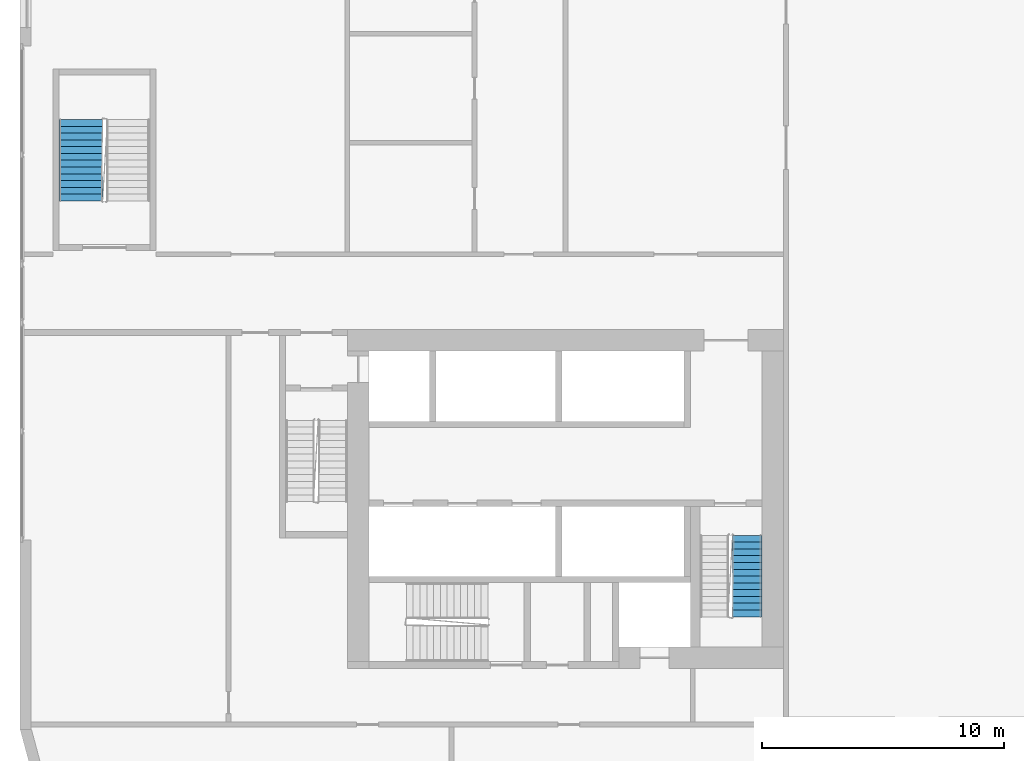
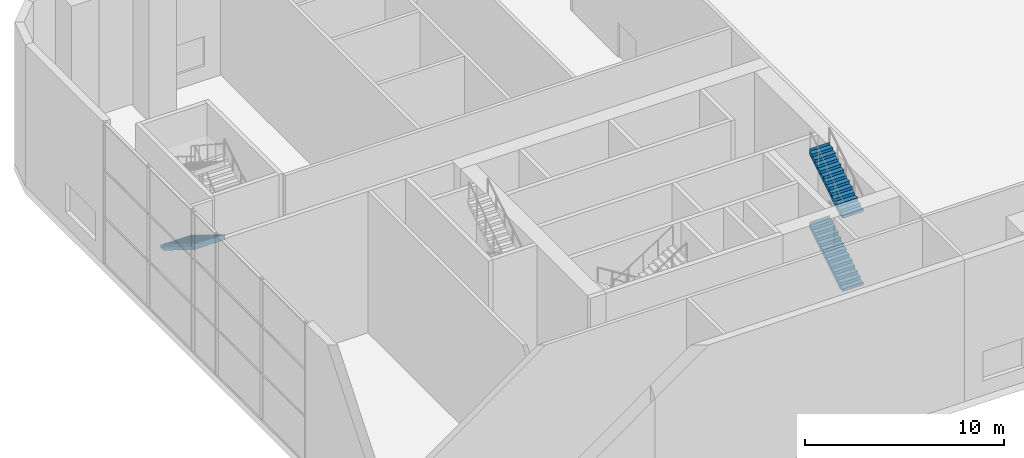
# One storey, part 15 of 24: 3 stair flights, 2 elements without a shape of their own.
"""IFC4 building model written with IfcOpenShell, lengths in metres."""

from ifc_helpers import new_model, si_unit, direction, frame, origin, place, context, subcontext, project, spatial, faceted_brep, material, type_object, element, aggregate, save


model = new_model("IFC4")

# Units and contexts
model_context = context("Model", 3, precision=1e-05, world=origin(), true_north=direction((0.0, 1.0)))
body_context = subcontext(model_context, "Body", "Model", "MODEL_VIEW")
ifc_project = project(units=[si_unit("LENGTHUNIT", "METRE"), si_unit("AREAUNIT", "SQUARE_METRE"), si_unit("VOLUMEUNIT", "CUBIC_METRE"), si_unit("PLANEANGLEUNIT", "RADIAN"), si_unit("MASSUNIT", "GRAM", prefix="KILO")], contexts=[model_context])

# Site, building, storey
site_placement = place(None, origin())
site = spatial("IfcSite", under=ifc_project, at=site_placement, CompositionType="ELEMENT")
building_placement = place(site_placement, origin())
building = spatial("IfcBuilding", under=site, at=building_placement, Name="Kajstack Hotel Tower", CompositionType="ELEMENT")
storey_placement = place(building_placement, frame((0.0, 0.0, 38.0)))
storey = spatial("IfcBuildingStorey", under=building, at=storey_placement, Name="L06", CompositionType="ELEMENT", Elevation=38.0)

# Stair, stair flight
ifc_material = material(Name="Concrete C40/50", Category="concrete")
stair_type_1 = type_object("IfcStairType", Name="Escape stair 1800", PredefinedType="HALF_TURN_STAIR", material=ifc_material)
stair_1_placement = place(storey_placement, origin())
stair_1 = element("IfcStair", 1, at=stair_1_placement, inside=storey, type_object=stair_type_1, Name="L06 stair P1", PredefinedType="HALF_TURN_STAIR")
stair_flight_type_1 = type_object("IfcStairFlightType", Name="Escape stair flight 1800", PredefinedType="STRAIGHT", material=ifc_material)
stair_flight_1_placement = place(storey_placement, frame((-42.5, 7.159912109375, 2.25), z_axis=(0.0, 0.0, 1.0), x_axis=(0.0, -1.0, 0.0)))
stair_flight_1 = element("IfcStairFlight", 2, at=stair_flight_1_placement, type_object=stair_flight_type_1, Name="P1 flight 2", NumberOfRisers=13, NumberOfTreads=12, PredefinedType="STRAIGHT", RiserHeight=0.173076923, TreadLength=0.28, context=body_context, shape_type="Brep", body=[
    faceted_brep([(0.28564453125, -0.89990234375, 0.0), (3.360595703125, -0.89990234375, 1.900634765625), (3.360595703125, -0.89990234375, 2.25), (3.360107421875, -0.89990234375, 2.25), (3.360107421875, -0.89990234375, 2.076904296875), (3.080078125, -0.89990234375, 2.076904296875), (3.080078125, -0.89990234375, 1.90380859375), (2.800048828125, -0.89990234375, 1.90380859375), (2.800048828125, -0.89990234375, 1.730712890625), (2.52001953125, -0.89990234375, 1.730712890625), (2.52001953125, -0.89990234375, 1.5576171875), (2.239990234375, -0.89990234375, 1.5576171875), (2.239990234375, -0.89990234375, 1.384521484375), (1.9599609375, -0.89990234375, 1.384521484375), (1.9599609375, -0.89990234375, 1.21142578125), (1.679931640625, -0.89990234375, 1.21142578125), (1.679931640625, -0.89990234375, 1.03857421875), (1.39990234375, -0.89990234375, 1.03857421875), (1.39990234375, -0.89990234375, 0.865478515625), (1.1201171875, -0.89990234375, 0.865478515625), (1.1201171875, -0.89990234375, 0.6923828125), (0.840087890625, -0.89990234375, 0.6923828125), (0.840087890625, -0.89990234375, 0.519287109375), (0.56005859375, -0.89990234375, 0.519287109375), (0.56005859375, -0.89990234375, 0.34619140625), (0.280029296875, -0.89990234375, 0.34619140625), (0.280029296875, -0.89990234375, 0.173095703125), (-0.00048828125, -0.89990234375, 0.173095703125), (-0.00048828125, -0.89990234375, 0.0), (-0.00048828125, 0.89990234375, 0.0), (-0.00048828125, 0.89990234375, 0.173095703125), (0.280029296875, 0.89990234375, 0.173095703125), (0.280029296875, 0.89990234375, 0.34619140625), (0.56005859375, 0.89990234375, 0.34619140625), (0.56005859375, 0.89990234375, 0.519287109375), (0.840087890625, 0.89990234375, 0.519287109375), (0.840087890625, 0.89990234375, 0.6923828125), (1.1201171875, 0.89990234375, 0.6923828125), (1.1201171875, 0.89990234375, 0.865478515625), (1.39990234375, 0.89990234375, 0.865478515625), (1.39990234375, 0.89990234375, 1.03857421875), (1.679931640625, 0.89990234375, 1.03857421875), (1.679931640625, 0.89990234375, 1.21142578125), (1.9599609375, 0.89990234375, 1.21142578125), (1.9599609375, 0.89990234375, 1.384521484375), (2.239990234375, 0.89990234375, 1.384521484375), (2.239990234375, 0.89990234375, 1.5576171875), (2.52001953125, 0.89990234375, 1.5576171875), (2.52001953125, 0.89990234375, 1.730712890625), (2.800048828125, 0.89990234375, 1.730712890625), (2.800048828125, 0.89990234375, 1.90380859375), (3.080078125, 0.89990234375, 1.90380859375), (3.080078125, 0.89990234375, 2.076904296875), (3.360107421875, 0.89990234375, 2.076904296875), (3.360107421875, 0.89990234375, 2.25), (3.360595703125, 0.89990234375, 2.25), (3.360595703125, 0.89990234375, 1.900634765625), (0.28564453125, 0.89990234375, 0.0), (-0.00048828125, -0.449951171875, 0.173095703125), (-0.00048828125, 0.0, 0.173095703125), (-0.00048828125, 0.449951171875, 0.173095703125), (-0.00048828125, 0.449951171875, 0.0), (-0.00048828125, 0.0, 0.0), (-0.00048828125, -0.449951171875, 0.0), (0.280029296875, -0.449951171875, 0.173095703125), (0.280029296875, 0.0, 0.173095703125), (0.280029296875, 0.449951171875, 0.173095703125), (0.280029296875, -0.449951171875, 0.34619140625), (0.280029296875, 0.0, 0.34619140625), (0.280029296875, 0.449951171875, 0.34619140625), (0.56005859375, -0.449951171875, 0.34619140625), (0.56005859375, 0.0, 0.34619140625), (0.56005859375, 0.449951171875, 0.34619140625), (0.56005859375, -0.449951171875, 0.519287109375), (0.56005859375, 0.0, 0.519287109375), (0.56005859375, 0.449951171875, 0.519287109375), (0.840087890625, -0.449951171875, 0.519287109375), (0.840087890625, 0.0, 0.519287109375), (0.840087890625, 0.449951171875, 0.519287109375), (0.840087890625, -0.449951171875, 0.6923828125), (0.840087890625, 0.0, 0.6923828125), (0.840087890625, 0.449951171875, 0.6923828125), (1.1201171875, -0.449951171875, 0.6923828125), (1.1201171875, 0.0, 0.6923828125), (1.1201171875, 0.449951171875, 0.6923828125), (1.1201171875, -0.449951171875, 0.865478515625), (1.1201171875, 0.0, 0.865478515625), (1.1201171875, 0.449951171875, 0.865478515625), (1.39990234375, -0.449951171875, 0.865478515625), (1.39990234375, 0.0, 0.865478515625), (1.39990234375, 0.449951171875, 0.865478515625), (1.39990234375, -0.449951171875, 1.03857421875), (1.39990234375, 0.0, 1.03857421875), (1.39990234375, 0.449951171875, 1.03857421875), (1.679931640625, -0.449951171875, 1.03857421875), (1.679931640625, 0.0, 1.03857421875), (1.679931640625, 0.449951171875, 1.03857421875), (1.679931640625, -0.449951171875, 1.21142578125), (1.679931640625, 0.0, 1.21142578125), (1.679931640625, 0.449951171875, 1.21142578125), (1.9599609375, -0.449951171875, 1.21142578125), (1.9599609375, 0.0, 1.21142578125), (1.9599609375, 0.449951171875, 1.21142578125), (1.9599609375, -0.449951171875, 1.384521484375), (1.9599609375, 0.0, 1.384521484375), (1.9599609375, 0.449951171875, 1.384521484375), (2.239990234375, -0.449951171875, 1.384521484375), (2.239990234375, 0.0, 1.384521484375), (2.239990234375, 0.449951171875, 1.384521484375), (2.239990234375, -0.449951171875, 1.5576171875), (2.239990234375, 0.0, 1.5576171875), (2.239990234375, 0.449951171875, 1.5576171875), (2.52001953125, -0.449951171875, 1.5576171875), (2.52001953125, 0.0, 1.5576171875), (2.52001953125, 0.449951171875, 1.5576171875), (2.52001953125, -0.449951171875, 1.730712890625), (2.52001953125, 0.0, 1.730712890625), (2.52001953125, 0.449951171875, 1.730712890625), (2.800048828125, -0.449951171875, 1.730712890625), (2.800048828125, 0.0, 1.730712890625), (2.800048828125, 0.449951171875, 1.730712890625), (2.800048828125, -0.449951171875, 1.90380859375), (2.800048828125, 0.0, 1.90380859375), (2.800048828125, 0.449951171875, 1.90380859375), (3.080078125, -0.449951171875, 1.90380859375), (3.080078125, 0.0, 1.90380859375), (3.080078125, 0.449951171875, 1.90380859375), (3.080078125, -0.449951171875, 2.076904296875), (3.080078125, 0.0, 2.076904296875), (3.080078125, 0.449951171875, 2.076904296875), (3.360107421875, -0.449951171875, 2.076904296875), (3.360107421875, 0.0, 2.076904296875), (3.360107421875, 0.449951171875, 2.076904296875), (3.360107421875, -0.449951171875, 2.25), (3.360107421875, 0.0, 2.25), (3.360107421875, 0.449951171875, 2.25), (3.360595703125, -0.449951171875, 2.25), (3.360595703125, 0.0, 2.25), (3.360595703125, 0.449951171875, 2.25), (3.360595703125, -0.449951171875, 1.900634765625), (3.360595703125, 0.0, 1.900634765625), (3.360595703125, 0.449951171875, 1.900634765625), (0.28564453125, -0.449951171875, 0.0), (0.28564453125, 0.0, 0.0), (0.28564453125, 0.449951171875, 0.0)], [[[0, 1, 2, 3, 4, 5, 6, 7, 8, 9, 10, 11, 12, 13, 14, 15, 16, 17, 18, 19, 20, 21, 22, 23, 24, 25, 26, 27, 28]], [[29, 30, 31, 32, 33, 34, 35, 36, 37, 38, 39, 40, 41, 42, 43, 44, 45, 46, 47, 48, 49, 50, 51, 52, 53, 54, 55, 56, 57]], [[27, 58, 59, 60, 30, 29, 61, 62, 63, 28]], [[26, 64, 65, 66, 31, 30, 60, 59, 58, 27]], [[25, 67, 68, 69, 32, 31, 66, 65, 64, 26]], [[24, 70, 71, 72, 33, 32, 69, 68, 67, 25]], [[23, 73, 74, 75, 34, 33, 72, 71, 70, 24]], [[22, 76, 77, 78, 35, 34, 75, 74, 73, 23]], [[21, 79, 80, 81, 36, 35, 78, 77, 76, 22]], [[20, 82, 83, 84, 37, 36, 81, 80, 79, 21]], [[19, 85, 86, 87, 38, 37, 84, 83, 82, 20]], [[18, 88, 89, 90, 39, 38, 87, 86, 85, 19]], [[17, 91, 92, 93, 40, 39, 90, 89, 88, 18]], [[16, 94, 95, 96, 41, 40, 93, 92, 91, 17]], [[15, 97, 98, 99, 42, 41, 96, 95, 94, 16]], [[14, 100, 101, 102, 43, 42, 99, 98, 97, 15]], [[13, 103, 104, 105, 44, 43, 102, 101, 100, 14]], [[12, 106, 107, 108, 45, 44, 105, 104, 103, 13]], [[11, 109, 110, 111, 46, 45, 108, 107, 106, 12]], [[10, 112, 113, 114, 47, 46, 111, 110, 109, 11]], [[9, 115, 116, 117, 48, 47, 114, 113, 112, 10]], [[8, 118, 119, 120, 49, 48, 117, 116, 115, 9]], [[7, 121, 122, 123, 50, 49, 120, 119, 118, 8]], [[6, 124, 125, 126, 51, 50, 123, 122, 121, 7]], [[5, 127, 128, 129, 52, 51, 126, 125, 124, 6]], [[4, 130, 131, 132, 53, 52, 129, 128, 127, 5]], [[3, 133, 134, 135, 54, 53, 132, 131, 130, 4]], [[2, 136, 137, 138, 55, 54, 135, 134, 133, 3]], [[1, 139, 140, 141, 56, 55, 138, 137, 136, 2]], [[0, 142, 143, 144, 57, 56, 141, 140, 139, 1]], [[28, 63, 62, 61, 29, 57, 144, 143, 142, 0]]]),
])
aggregate(stair_1, [stair_flight_1])

# Stair, stair flights
stair_type_2 = type_object("IfcStairType", Name="Exit stair 1200", PredefinedType="HALF_TURN_STAIR", material=ifc_material)
stair_2_placement = place(storey_placement, origin())
stair_2 = element("IfcStair", 3, at=stair_2_placement, inside=storey, type_object=stair_type_2, Name="L06 stair W2", PredefinedType="HALF_TURN_STAIR")
stair_flight_type_2 = type_object("IfcStairFlightType", Name="Exit stair flight 1200", PredefinedType="STRAIGHT", material=ifc_material)
stair_flight_2_placement = place(storey_placement, frame((-15.0, -13.360107421875, 2.25), z_axis=(0.0, 0.0, 1.0), x_axis=(0.0, 1.0, 0.0)))
stair_flight_2 = element("IfcStairFlight", 4, at=stair_flight_2_placement, type_object=stair_flight_type_2, Name="W2 flight 2", NumberOfRisers=13, NumberOfTreads=12, PredefinedType="STRAIGHT", RiserHeight=0.173076923, TreadLength=0.28, context=body_context, shape_type="Brep", body=[
    faceted_brep([(0.28564453125, -0.60009765625, 0.0), (3.360595703125, -0.60009765625, 1.900634765625), (3.360595703125, -0.60009765625, 2.25), (3.360107421875, -0.60009765625, 2.25), (3.360107421875, -0.60009765625, 2.076904296875), (3.080078125, -0.60009765625, 2.076904296875), (3.080078125, -0.60009765625, 1.90380859375), (2.800048828125, -0.60009765625, 1.90380859375), (2.800048828125, -0.60009765625, 1.730712890625), (2.52001953125, -0.60009765625, 1.730712890625), (2.52001953125, -0.60009765625, 1.5576171875), (2.239990234375, -0.60009765625, 1.5576171875), (2.239990234375, -0.60009765625, 1.384521484375), (1.9599609375, -0.60009765625, 1.384521484375), (1.9599609375, -0.60009765625, 1.21142578125), (1.679931640625, -0.60009765625, 1.21142578125), (1.679931640625, -0.60009765625, 1.03857421875), (1.39990234375, -0.60009765625, 1.03857421875), (1.39990234375, -0.60009765625, 0.865478515625), (1.1201171875, -0.60009765625, 0.865478515625), (1.1201171875, -0.60009765625, 0.6923828125), (0.840087890625, -0.60009765625, 0.6923828125), (0.840087890625, -0.60009765625, 0.519287109375), (0.56005859375, -0.60009765625, 0.519287109375), (0.56005859375, -0.60009765625, 0.34619140625), (0.280029296875, -0.60009765625, 0.34619140625), (0.280029296875, -0.60009765625, 0.173095703125), (-0.00048828125, -0.60009765625, 0.173095703125), (-0.00048828125, -0.60009765625, 0.0), (-0.00048828125, 0.60009765625, 0.0), (-0.00048828125, 0.60009765625, 0.173095703125), (0.280029296875, 0.60009765625, 0.173095703125), (0.280029296875, 0.60009765625, 0.34619140625), (0.56005859375, 0.60009765625, 0.34619140625), (0.56005859375, 0.60009765625, 0.519287109375), (0.840087890625, 0.60009765625, 0.519287109375), (0.840087890625, 0.60009765625, 0.6923828125), (1.1201171875, 0.60009765625, 0.6923828125), (1.1201171875, 0.60009765625, 0.865478515625), (1.39990234375, 0.60009765625, 0.865478515625), (1.39990234375, 0.60009765625, 1.03857421875), (1.679931640625, 0.60009765625, 1.03857421875), (1.679931640625, 0.60009765625, 1.21142578125), (1.9599609375, 0.60009765625, 1.21142578125), (1.9599609375, 0.60009765625, 1.384521484375), (2.239990234375, 0.60009765625, 1.384521484375), (2.239990234375, 0.60009765625, 1.5576171875), (2.52001953125, 0.60009765625, 1.5576171875), (2.52001953125, 0.60009765625, 1.730712890625), (2.800048828125, 0.60009765625, 1.730712890625), (2.800048828125, 0.60009765625, 1.90380859375), (3.080078125, 0.60009765625, 1.90380859375), (3.080078125, 0.60009765625, 2.076904296875), (3.360107421875, 0.60009765625, 2.076904296875), (3.360107421875, 0.60009765625, 2.25), (3.360595703125, 0.60009765625, 2.25), (3.360595703125, 0.60009765625, 1.900634765625), (0.28564453125, 0.60009765625, 0.0), (-0.00048828125, -0.300048828125, 0.173095703125), (-0.00048828125, 0.0, 0.173095703125), (-0.00048828125, 0.300048828125, 0.173095703125), (-0.00048828125, 0.300048828125, 0.0), (-0.00048828125, 0.0, 0.0), (-0.00048828125, -0.300048828125, 0.0), (0.280029296875, -0.300048828125, 0.173095703125), (0.280029296875, 0.0, 0.173095703125), (0.280029296875, 0.300048828125, 0.173095703125), (0.280029296875, -0.300048828125, 0.34619140625), (0.280029296875, 0.0, 0.34619140625), (0.280029296875, 0.300048828125, 0.34619140625), (0.56005859375, -0.300048828125, 0.34619140625), (0.56005859375, 0.0, 0.34619140625), (0.56005859375, 0.300048828125, 0.34619140625), (0.56005859375, -0.300048828125, 0.519287109375), (0.56005859375, 0.0, 0.519287109375), (0.56005859375, 0.300048828125, 0.519287109375), (0.840087890625, -0.300048828125, 0.519287109375), (0.840087890625, 0.0, 0.519287109375), (0.840087890625, 0.300048828125, 0.519287109375), (0.840087890625, -0.300048828125, 0.6923828125), (0.840087890625, 0.0, 0.6923828125), (0.840087890625, 0.300048828125, 0.6923828125), (1.1201171875, -0.300048828125, 0.6923828125), (1.1201171875, 0.0, 0.6923828125), (1.1201171875, 0.300048828125, 0.6923828125), (1.1201171875, -0.300048828125, 0.865478515625), (1.1201171875, 0.0, 0.865478515625), (1.1201171875, 0.300048828125, 0.865478515625), (1.39990234375, -0.300048828125, 0.865478515625), (1.39990234375, 0.0, 0.865478515625), (1.39990234375, 0.300048828125, 0.865478515625), (1.39990234375, -0.300048828125, 1.03857421875), (1.39990234375, 0.0, 1.03857421875), (1.39990234375, 0.300048828125, 1.03857421875), (1.679931640625, -0.300048828125, 1.03857421875), (1.679931640625, 0.0, 1.03857421875), (1.679931640625, 0.300048828125, 1.03857421875), (1.679931640625, -0.300048828125, 1.21142578125), (1.679931640625, 0.0, 1.21142578125), (1.679931640625, 0.300048828125, 1.21142578125), (1.9599609375, -0.300048828125, 1.21142578125), (1.9599609375, 0.0, 1.21142578125), (1.9599609375, 0.300048828125, 1.21142578125), (1.9599609375, -0.300048828125, 1.384521484375), (1.9599609375, 0.0, 1.384521484375), (1.9599609375, 0.300048828125, 1.384521484375), (2.239990234375, -0.300048828125, 1.384521484375), (2.239990234375, 0.0, 1.384521484375), (2.239990234375, 0.300048828125, 1.384521484375), (2.239990234375, -0.300048828125, 1.5576171875), (2.239990234375, 0.0, 1.5576171875), (2.239990234375, 0.300048828125, 1.5576171875), (2.52001953125, -0.300048828125, 1.5576171875), (2.52001953125, 0.0, 1.5576171875), (2.52001953125, 0.300048828125, 1.5576171875), (2.52001953125, -0.300048828125, 1.730712890625), (2.52001953125, 0.0, 1.730712890625), (2.52001953125, 0.300048828125, 1.730712890625), (2.800048828125, -0.300048828125, 1.730712890625), (2.800048828125, 0.0, 1.730712890625), (2.800048828125, 0.300048828125, 1.730712890625), (2.800048828125, -0.300048828125, 1.90380859375), (2.800048828125, 0.0, 1.90380859375), (2.800048828125, 0.300048828125, 1.90380859375), (3.080078125, -0.300048828125, 1.90380859375), (3.080078125, 0.0, 1.90380859375), (3.080078125, 0.300048828125, 1.90380859375), (3.080078125, -0.300048828125, 2.076904296875), (3.080078125, 0.0, 2.076904296875), (3.080078125, 0.300048828125, 2.076904296875), (3.360107421875, -0.300048828125, 2.076904296875), (3.360107421875, 0.0, 2.076904296875), (3.360107421875, 0.300048828125, 2.076904296875), (3.360107421875, -0.300048828125, 2.25), (3.360107421875, 0.0, 2.25), (3.360107421875, 0.300048828125, 2.25), (3.360595703125, -0.300048828125, 2.25), (3.360595703125, 0.0, 2.25), (3.360595703125, 0.300048828125, 2.25), (3.360595703125, -0.300048828125, 1.900634765625), (3.360595703125, 0.0, 1.900634765625), (3.360595703125, 0.300048828125, 1.900634765625), (0.28564453125, -0.300048828125, 0.0), (0.28564453125, 0.0, 0.0), (0.28564453125, 0.300048828125, 0.0)], [[[0, 1, 2, 3, 4, 5, 6, 7, 8, 9, 10, 11, 12, 13, 14, 15, 16, 17, 18, 19, 20, 21, 22, 23, 24, 25, 26, 27, 28]], [[29, 30, 31, 32, 33, 34, 35, 36, 37, 38, 39, 40, 41, 42, 43, 44, 45, 46, 47, 48, 49, 50, 51, 52, 53, 54, 55, 56, 57]], [[27, 58, 59, 60, 30, 29, 61, 62, 63, 28]], [[26, 64, 65, 66, 31, 30, 60, 59, 58, 27]], [[25, 67, 68, 69, 32, 31, 66, 65, 64, 26]], [[24, 70, 71, 72, 33, 32, 69, 68, 67, 25]], [[23, 73, 74, 75, 34, 33, 72, 71, 70, 24]], [[22, 76, 77, 78, 35, 34, 75, 74, 73, 23]], [[21, 79, 80, 81, 36, 35, 78, 77, 76, 22]], [[20, 82, 83, 84, 37, 36, 81, 80, 79, 21]], [[19, 85, 86, 87, 38, 37, 84, 83, 82, 20]], [[18, 88, 89, 90, 39, 38, 87, 86, 85, 19]], [[17, 91, 92, 93, 40, 39, 90, 89, 88, 18]], [[16, 94, 95, 96, 41, 40, 93, 92, 91, 17]], [[15, 97, 98, 99, 42, 41, 96, 95, 94, 16]], [[14, 100, 101, 102, 43, 42, 99, 98, 97, 15]], [[13, 103, 104, 105, 44, 43, 102, 101, 100, 14]], [[12, 106, 107, 108, 45, 44, 105, 104, 103, 13]], [[11, 109, 110, 111, 46, 45, 108, 107, 106, 12]], [[10, 112, 113, 114, 47, 46, 111, 110, 109, 11]], [[9, 115, 116, 117, 48, 47, 114, 113, 112, 10]], [[8, 118, 119, 120, 49, 48, 117, 116, 115, 9]], [[7, 121, 122, 123, 50, 49, 120, 119, 118, 8]], [[6, 124, 125, 126, 51, 50, 123, 122, 121, 7]], [[5, 127, 128, 129, 52, 51, 126, 125, 124, 6]], [[4, 130, 131, 132, 53, 52, 129, 128, 127, 5]], [[3, 133, 134, 135, 54, 53, 132, 131, 130, 4]], [[2, 136, 137, 138, 55, 54, 135, 134, 133, 3]], [[1, 139, 140, 141, 56, 55, 138, 137, 136, 2]], [[0, 142, 143, 144, 57, 56, 141, 140, 139, 1]], [[28, 63, 62, 61, 29, 57, 144, 143, 142, 0]]]),
])
stair_flight_3_placement = place(storey_placement, frame((-15.0, -13.360107421875, 6.75), z_axis=(0.0, 0.0, 1.0), x_axis=(0.0, 1.0, 0.0)))
stair_flight_3 = element("IfcStairFlight", 5, at=stair_flight_3_placement, type_object=stair_flight_type_2, Name="W2 flight 4", NumberOfRisers=13, NumberOfTreads=12, PredefinedType="STRAIGHT", RiserHeight=0.173076923, TreadLength=0.28, context=body_context, shape_type="Brep", body=[
    faceted_brep([(0.28564453125, -0.60009765625, 0.0), (3.360595703125, -0.60009765625, 1.900634765625), (3.360595703125, -0.60009765625, 2.25), (3.360107421875, -0.60009765625, 2.25), (3.360107421875, -0.60009765625, 2.076904296875), (3.080078125, -0.60009765625, 2.076904296875), (3.080078125, -0.60009765625, 1.90380859375), (2.800048828125, -0.60009765625, 1.90380859375), (2.800048828125, -0.60009765625, 1.730712890625), (2.52001953125, -0.60009765625, 1.730712890625), (2.52001953125, -0.60009765625, 1.5576171875), (2.239990234375, -0.60009765625, 1.5576171875), (2.239990234375, -0.60009765625, 1.384521484375), (1.9599609375, -0.60009765625, 1.384521484375), (1.9599609375, -0.60009765625, 1.21142578125), (1.679931640625, -0.60009765625, 1.21142578125), (1.679931640625, -0.60009765625, 1.03857421875), (1.39990234375, -0.60009765625, 1.03857421875), (1.39990234375, -0.60009765625, 0.865478515625), (1.1201171875, -0.60009765625, 0.865478515625), (1.1201171875, -0.60009765625, 0.6923828125), (0.840087890625, -0.60009765625, 0.6923828125), (0.840087890625, -0.60009765625, 0.519287109375), (0.56005859375, -0.60009765625, 0.519287109375), (0.56005859375, -0.60009765625, 0.34619140625), (0.280029296875, -0.60009765625, 0.34619140625), (0.280029296875, -0.60009765625, 0.173095703125), (-0.00048828125, -0.60009765625, 0.173095703125), (-0.00048828125, -0.60009765625, 0.0), (-0.00048828125, 0.60009765625, 0.0), (-0.00048828125, 0.60009765625, 0.173095703125), (0.280029296875, 0.60009765625, 0.173095703125), (0.280029296875, 0.60009765625, 0.34619140625), (0.56005859375, 0.60009765625, 0.34619140625), (0.56005859375, 0.60009765625, 0.519287109375), (0.840087890625, 0.60009765625, 0.519287109375), (0.840087890625, 0.60009765625, 0.6923828125), (1.1201171875, 0.60009765625, 0.6923828125), (1.1201171875, 0.60009765625, 0.865478515625), (1.39990234375, 0.60009765625, 0.865478515625), (1.39990234375, 0.60009765625, 1.03857421875), (1.679931640625, 0.60009765625, 1.03857421875), (1.679931640625, 0.60009765625, 1.21142578125), (1.9599609375, 0.60009765625, 1.21142578125), (1.9599609375, 0.60009765625, 1.384521484375), (2.239990234375, 0.60009765625, 1.384521484375), (2.239990234375, 0.60009765625, 1.5576171875), (2.52001953125, 0.60009765625, 1.5576171875), (2.52001953125, 0.60009765625, 1.730712890625), (2.800048828125, 0.60009765625, 1.730712890625), (2.800048828125, 0.60009765625, 1.90380859375), (3.080078125, 0.60009765625, 1.90380859375), (3.080078125, 0.60009765625, 2.076904296875), (3.360107421875, 0.60009765625, 2.076904296875), (3.360107421875, 0.60009765625, 2.25), (3.360595703125, 0.60009765625, 2.25), (3.360595703125, 0.60009765625, 1.900634765625), (0.28564453125, 0.60009765625, 0.0), (-0.00048828125, -0.300048828125, 0.173095703125), (-0.00048828125, 0.0, 0.173095703125), (-0.00048828125, 0.300048828125, 0.173095703125), (-0.00048828125, 0.300048828125, 0.0), (-0.00048828125, 0.0, 0.0), (-0.00048828125, -0.300048828125, 0.0), (0.280029296875, -0.300048828125, 0.173095703125), (0.280029296875, 0.0, 0.173095703125), (0.280029296875, 0.300048828125, 0.173095703125), (0.280029296875, -0.300048828125, 0.34619140625), (0.280029296875, 0.0, 0.34619140625), (0.280029296875, 0.300048828125, 0.34619140625), (0.56005859375, -0.300048828125, 0.34619140625), (0.56005859375, 0.0, 0.34619140625), (0.56005859375, 0.300048828125, 0.34619140625), (0.56005859375, -0.300048828125, 0.519287109375), (0.56005859375, 0.0, 0.519287109375), (0.56005859375, 0.300048828125, 0.519287109375), (0.840087890625, -0.300048828125, 0.519287109375), (0.840087890625, 0.0, 0.519287109375), (0.840087890625, 0.300048828125, 0.519287109375), (0.840087890625, -0.300048828125, 0.6923828125), (0.840087890625, 0.0, 0.6923828125), (0.840087890625, 0.300048828125, 0.6923828125), (1.1201171875, -0.300048828125, 0.6923828125), (1.1201171875, 0.0, 0.6923828125), (1.1201171875, 0.300048828125, 0.6923828125), (1.1201171875, -0.300048828125, 0.865478515625), (1.1201171875, 0.0, 0.865478515625), (1.1201171875, 0.300048828125, 0.865478515625), (1.39990234375, -0.300048828125, 0.865478515625), (1.39990234375, 0.0, 0.865478515625), (1.39990234375, 0.300048828125, 0.865478515625), (1.39990234375, -0.300048828125, 1.03857421875), (1.39990234375, 0.0, 1.03857421875), (1.39990234375, 0.300048828125, 1.03857421875), (1.679931640625, -0.300048828125, 1.03857421875), (1.679931640625, 0.0, 1.03857421875), (1.679931640625, 0.300048828125, 1.03857421875), (1.679931640625, -0.300048828125, 1.21142578125), (1.679931640625, 0.0, 1.21142578125), (1.679931640625, 0.300048828125, 1.21142578125), (1.9599609375, -0.300048828125, 1.21142578125), (1.9599609375, 0.0, 1.21142578125), (1.9599609375, 0.300048828125, 1.21142578125), (1.9599609375, -0.300048828125, 1.384521484375), (1.9599609375, 0.0, 1.384521484375), (1.9599609375, 0.300048828125, 1.384521484375), (2.239990234375, -0.300048828125, 1.384521484375), (2.239990234375, 0.0, 1.384521484375), (2.239990234375, 0.300048828125, 1.384521484375), (2.239990234375, -0.300048828125, 1.5576171875), (2.239990234375, 0.0, 1.5576171875), (2.239990234375, 0.300048828125, 1.5576171875), (2.52001953125, -0.300048828125, 1.5576171875), (2.52001953125, 0.0, 1.5576171875), (2.52001953125, 0.300048828125, 1.5576171875), (2.52001953125, -0.300048828125, 1.730712890625), (2.52001953125, 0.0, 1.730712890625), (2.52001953125, 0.300048828125, 1.730712890625), (2.800048828125, -0.300048828125, 1.730712890625), (2.800048828125, 0.0, 1.730712890625), (2.800048828125, 0.300048828125, 1.730712890625), (2.800048828125, -0.300048828125, 1.90380859375), (2.800048828125, 0.0, 1.90380859375), (2.800048828125, 0.300048828125, 1.90380859375), (3.080078125, -0.300048828125, 1.90380859375), (3.080078125, 0.0, 1.90380859375), (3.080078125, 0.300048828125, 1.90380859375), (3.080078125, -0.300048828125, 2.076904296875), (3.080078125, 0.0, 2.076904296875), (3.080078125, 0.300048828125, 2.076904296875), (3.360107421875, -0.300048828125, 2.076904296875), (3.360107421875, 0.0, 2.076904296875), (3.360107421875, 0.300048828125, 2.076904296875), (3.360107421875, -0.300048828125, 2.25), (3.360107421875, 0.0, 2.25), (3.360107421875, 0.300048828125, 2.25), (3.360595703125, -0.300048828125, 2.25), (3.360595703125, 0.0, 2.25), (3.360595703125, 0.300048828125, 2.25), (3.360595703125, -0.300048828125, 1.900634765625), (3.360595703125, 0.0, 1.900634765625), (3.360595703125, 0.300048828125, 1.900634765625), (0.28564453125, -0.300048828125, 0.0), (0.28564453125, 0.0, 0.0), (0.28564453125, 0.300048828125, 0.0)], [[[0, 1, 2, 3, 4, 5, 6, 7, 8, 9, 10, 11, 12, 13, 14, 15, 16, 17, 18, 19, 20, 21, 22, 23, 24, 25, 26, 27, 28]], [[29, 30, 31, 32, 33, 34, 35, 36, 37, 38, 39, 40, 41, 42, 43, 44, 45, 46, 47, 48, 49, 50, 51, 52, 53, 54, 55, 56, 57]], [[27, 58, 59, 60, 30, 29, 61, 62, 63, 28]], [[26, 64, 65, 66, 31, 30, 60, 59, 58, 27]], [[25, 67, 68, 69, 32, 31, 66, 65, 64, 26]], [[24, 70, 71, 72, 33, 32, 69, 68, 67, 25]], [[23, 73, 74, 75, 34, 33, 72, 71, 70, 24]], [[22, 76, 77, 78, 35, 34, 75, 74, 73, 23]], [[21, 79, 80, 81, 36, 35, 78, 77, 76, 22]], [[20, 82, 83, 84, 37, 36, 81, 80, 79, 21]], [[19, 85, 86, 87, 38, 37, 84, 83, 82, 20]], [[18, 88, 89, 90, 39, 38, 87, 86, 85, 19]], [[17, 91, 92, 93, 40, 39, 90, 89, 88, 18]], [[16, 94, 95, 96, 41, 40, 93, 92, 91, 17]], [[15, 97, 98, 99, 42, 41, 96, 95, 94, 16]], [[14, 100, 101, 102, 43, 42, 99, 98, 97, 15]], [[13, 103, 104, 105, 44, 43, 102, 101, 100, 14]], [[12, 106, 107, 108, 45, 44, 105, 104, 103, 13]], [[11, 109, 110, 111, 46, 45, 108, 107, 106, 12]], [[10, 112, 113, 114, 47, 46, 111, 110, 109, 11]], [[9, 115, 116, 117, 48, 47, 114, 113, 112, 10]], [[8, 118, 119, 120, 49, 48, 117, 116, 115, 9]], [[7, 121, 122, 123, 50, 49, 120, 119, 118, 8]], [[6, 124, 125, 126, 51, 50, 123, 122, 121, 7]], [[5, 127, 128, 129, 52, 51, 126, 125, 124, 6]], [[4, 130, 131, 132, 53, 52, 129, 128, 127, 5]], [[3, 133, 134, 135, 54, 53, 132, 131, 130, 4]], [[2, 136, 137, 138, 55, 54, 135, 134, 133, 3]], [[1, 139, 140, 141, 56, 55, 138, 137, 136, 2]], [[0, 142, 143, 144, 57, 56, 141, 140, 139, 1]], [[28, 63, 62, 61, 29, 57, 144, 143, 142, 0]]]),
])
aggregate(stair_2, [stair_flight_2, stair_flight_3])

save(model, "model.ifc")
